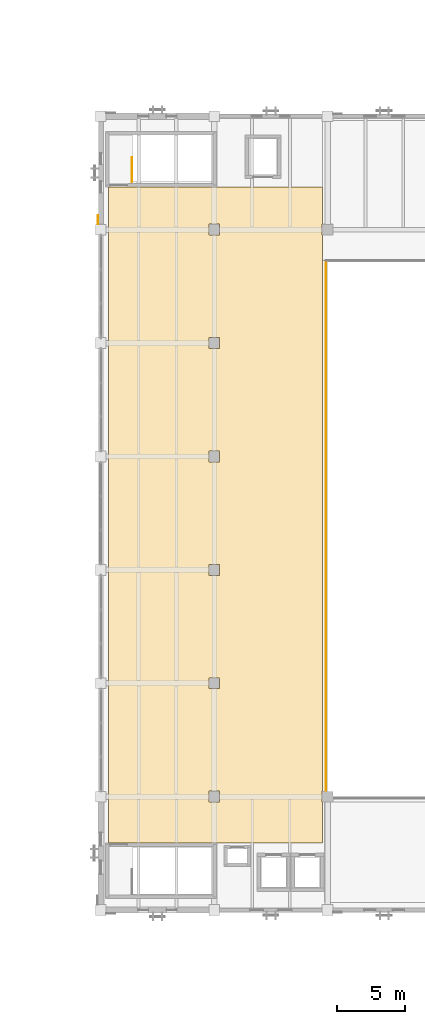
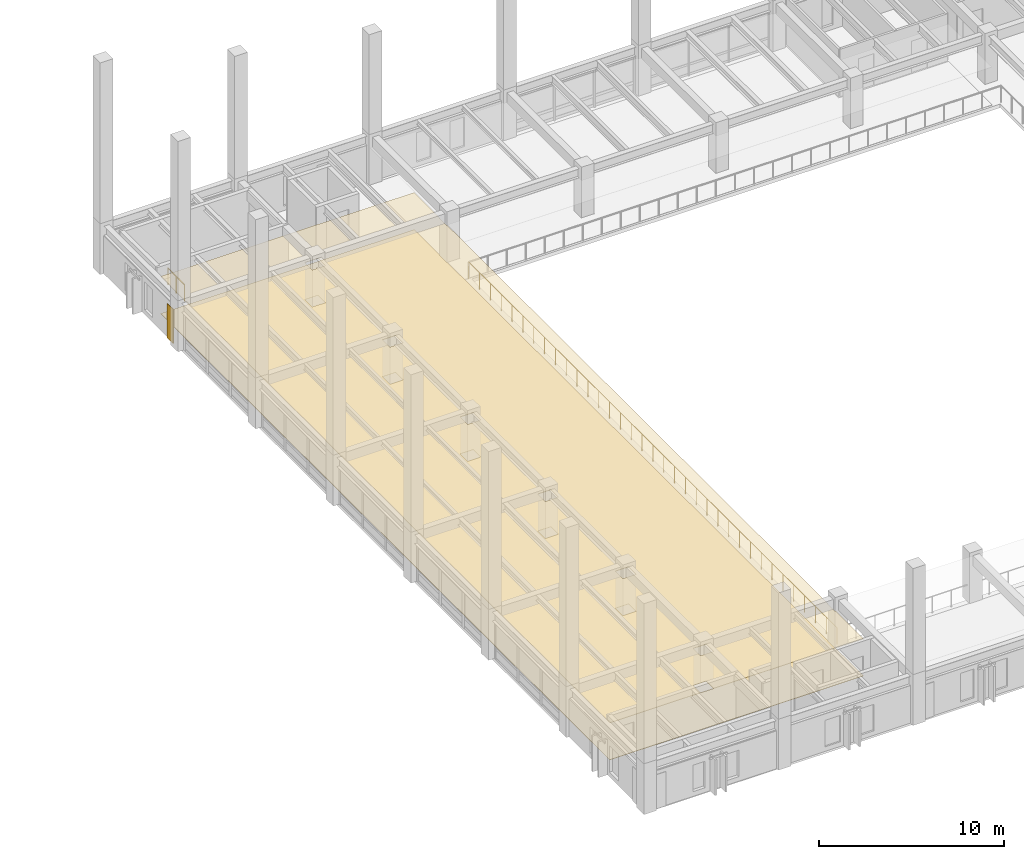
# One storey, part 55 of 64: 3 coverings, 2 railings.
"""IFC4 building model written with IfcOpenShell, lengths in metres."""

from ifc_helpers import new_model, si_unit, direction, frame, origin, origin_2d, place, context, subcontext, project, spatial, polyline, circle, outline, extrude, material, layer, layer_set, type_object, element, save


model = new_model("IFC4")

# Units and contexts
model_context = context("Model", 3, precision=1e-05, world=origin(), true_north=direction((0.0, 1.0)))
body_context = subcontext(model_context, "Body", "Model", "MODEL_VIEW")
ifc_project = project(units=[si_unit("LENGTHUNIT", "METRE"), si_unit("AREAUNIT", "SQUARE_METRE"), si_unit("VOLUMEUNIT", "CUBIC_METRE"), si_unit("PLANEANGLEUNIT", "RADIAN"), si_unit("MASSUNIT", "GRAM", prefix="KILO")], contexts=[model_context])

# Site, building, storey
site_placement = place(None, origin())
site = spatial("IfcSite", under=ifc_project, at=site_placement, CompositionType="ELEMENT")
building_placement = place(site_placement, origin())
building = spatial("IfcBuilding", under=site, at=building_placement, Name="Cumbredor Promenade Congress Hotel", CompositionType="ELEMENT")
storey_placement = place(building_placement, frame((0.0, 0.0, 18.47998046875)))
storey = spatial("IfcBuildingStorey", under=building, at=storey_placement, Name="L05", CompositionType="ELEMENT", Elevation=18.47998046875)

# Coverings
ifc_material_1 = material(Name="Acoustic mineral-fiber and gypsum ceiling")
ifc_layer_1 = layer(ifc_material_1, 0.031982421875, Name="Acoustic mineral-fiber and gypsum ceiling")
ifc_layer_set_1 = layer_set([ifc_layer_1], Name="Acoustic mineral-fiber and gypsum ceiling")
covering_type_1 = type_object("IfcCoveringType", Name="Acoustic Perforated Gypsum Ceiling CLG-04 32mm", PredefinedType="CEILING", material=ifc_layer_set_1)
covering_1_placement = place(storey_placement, frame((0.0, 0.0, 2.43896484375)))
element("IfcCovering", 1, at=covering_1_placement, inside=storey, type_object=covering_type_1, Name="L05 Plenary West Pre-Function Gallery Acoustic Ceiling", PredefinedType="CEILING", context=body_context, shape_type="SweptSolid", body=[
    extrude(outline(polyline([(24.794921875, 17.205078125), (24.794921875, 16.39501953125), (24.820068359375, 16.39501953125), (24.820068359375, 13.3798828125), (8.97998046875, 13.3798828125), (8.97998046875, 61.969970703125), (24.820068359375, 61.969970703125), (24.820068359375, 59.205078125), (24.794921875, 59.205078125), (24.794921875, 58.39501953125), (24.820068359375, 58.39501953125), (24.820068359375, 17.205078125), (24.794921875, 17.205078125)]), holes=[polyline([(17.205078125, 16.39501953125), (17.205078125, 17.205078125), (16.39501953125, 17.205078125), (16.39501953125, 16.39501953125), (17.205078125, 16.39501953125)]), polyline([(16.39501953125, 24.794921875), (17.205078125, 24.794921875), (17.205078125, 25.60498046875), (16.39501953125, 25.60498046875), (16.39501953125, 24.794921875)]), polyline([(16.39501953125, 34.0048828125), (16.39501953125, 33.195068359375), (17.205078125, 33.195068359375), (17.205078125, 34.0048828125), (16.39501953125, 34.0048828125)]), polyline([(17.205078125, 42.405029296875), (16.39501953125, 42.405029296875), (16.39501953125, 41.594970703125), (17.205078125, 41.594970703125), (17.205078125, 42.405029296875)]), polyline([(17.205078125, 49.9951171875), (17.205078125, 50.804931640625), (16.39501953125, 50.804931640625), (16.39501953125, 49.9951171875), (17.205078125, 49.9951171875)]), polyline([(16.39501953125, 58.39501953125), (17.205078125, 58.39501953125), (17.205078125, 59.205078125), (16.39501953125, 59.205078125), (16.39501953125, 58.39501953125)])]), origin(), (0.0, 0.0, 1.0), 0.031982421875),
])
ifc_material_2 = material(Name="Precast concrete C40/50", Category="concrete")
ifc_layer_2 = layer(ifc_material_2, 0.044921875, Name="Precast concrete C40/50", Category="concrete")
ifc_layer_set_2 = layer_set([ifc_layer_2], Name="Precast concrete C40/50")
covering_type_2 = type_object("IfcCoveringType", Name="Board-Formed Architectural Cladding Panel 45mm", PredefinedType="CLADDING", material=ifc_layer_set_2)
covering_2_placement = place(storey_placement, origin())
element("IfcCovering", 2, at=covering_2_placement, inside=storey, type_object=covering_type_2, Name="L05 Facade Stone Cladding Pier 194", PredefinedType="CLADDING", context=body_context, shape_type="SweptSolid", body=[
    extrude(outline(polyline([(8.2099609375, 59.200927734375), (8.2099609375, 59.85107421875), (8.1650390625, 59.85107421875), (8.1650390625, 59.200927734375), (8.2099609375, 59.200927734375)])), origin(), (0.0, 0.0, 1.0), 2.25),
])

# Railings
ifc_material_3 = material(Name="Brushed stainless steel", Category="steel")
railing_type = type_object("IfcRailingType", Name="Interior Void & Stair Guardrail GR-1100", PredefinedType="GUARDRAIL", material=ifc_material_3)
railing_1_placement = place(storey_placement, frame((10.699951171875, 62.35009765625, 0.0)))
element("IfcRailing", 3, at=railing_1_placement, inside=storey, type_object=railing_type, Name="L05 ST-06 top well guard 1", PredefinedType="GUARDRAIL", context=body_context, shape_type="SweptSolid", body=[
    extrude(circle(Radius=0.02392578125, at=origin_2d()), frame((0.0, 0.0, 1.09619140625), z_axis=(0.0, 1.0, 0.0), x_axis=(-1.0, 0.0, 0.0)), (0.0, 0.0, 1.0), 1.7998046875),
    extrude(circle(Radius=0.02099609375, at=origin_2d()), origin(), (0.0, 0.0, 1.0), 1.072021484375),
    extrude(circle(Radius=0.02099609375, at=origin_2d()), frame((0.0, 0.89990234375, 0.0)), (0.0, 0.0, 1.0), 1.072021484375),
    extrude(circle(Radius=0.02099609375, at=origin_2d()), frame((0.0, 1.7998046875, 0.0)), (0.0, 0.0, 1.0), 1.072021484375),
])
railing_2_placement = place(storey_placement, frame((25.080078125, 56.52001953125, 0.0)))
element("IfcRailing", 4, at=railing_2_placement, inside=storey, type_object=railing_type, Name="L05 v1_plenary_bowl Void Perimeter Guardrail 4", PredefinedType="GUARDRAIL", context=body_context, shape_type="SweptSolid", body=[
    extrude(circle(Radius=0.02392578125, at=origin_2d()), frame((0.0, 0.0, 1.09619140625), z_axis=(0.0, -1.0, 0.0), x_axis=(1.0, 0.0, 0.0)), (0.0, 0.0, 1.0), 39.840087890625),
    extrude(circle(Radius=0.02099609375, at=origin_2d()), origin(), (0.0, 0.0, 1.0), 1.072021484375),
    extrude(circle(Radius=0.02099609375, at=origin_2d()), frame((0.0, -1.171875, 0.0)), (0.0, 0.0, 1.0), 1.072021484375),
    extrude(circle(Radius=0.02099609375, at=origin_2d()), frame((0.0, -2.343505859375, 0.0)), (0.0, 0.0, 1.0), 1.072021484375),
    extrude(circle(Radius=0.02099609375, at=origin_2d()), frame((0.0, -3.515380859375, 0.0)), (0.0, 0.0, 1.0), 1.072021484375),
    extrude(circle(Radius=0.02099609375, at=origin_2d()), frame((0.0, -4.68701171875, 0.0)), (0.0, 0.0, 1.0), 1.072021484375),
    extrude(circle(Radius=0.02099609375, at=origin_2d()), frame((0.0, -5.85888671875, 0.0)), (0.0, 0.0, 1.0), 1.072021484375),
    extrude(circle(Radius=0.02099609375, at=origin_2d()), frame((0.0, -7.030517578125, 0.0)), (0.0, 0.0, 1.0), 1.072021484375),
    extrude(circle(Radius=0.02099609375, at=origin_2d()), frame((0.0, -8.202392578125, 0.0)), (0.0, 0.0, 1.0), 1.072021484375),
    extrude(circle(Radius=0.02099609375, at=origin_2d()), frame((0.0, -9.3740234375, 0.0)), (0.0, 0.0, 1.0), 1.072021484375),
    extrude(circle(Radius=0.02099609375, at=origin_2d()), frame((0.0, -10.5458984375, 0.0)), (0.0, 0.0, 1.0), 1.072021484375),
    extrude(circle(Radius=0.02099609375, at=origin_2d()), frame((0.0, -11.7177734375, 0.0)), (0.0, 0.0, 1.0), 1.072021484375),
    extrude(circle(Radius=0.02099609375, at=origin_2d()), frame((0.0, -12.889404296875, 0.0)), (0.0, 0.0, 1.0), 1.072021484375),
    extrude(circle(Radius=0.02099609375, at=origin_2d()), frame((0.0, -14.061279296875, 0.0)), (0.0, 0.0, 1.0), 1.072021484375),
    extrude(circle(Radius=0.02099609375, at=origin_2d()), frame((0.0, -15.23291015625, 0.0)), (0.0, 0.0, 1.0), 1.072021484375),
    extrude(circle(Radius=0.02099609375, at=origin_2d()), frame((0.0, -16.40478515625, 0.0)), (0.0, 0.0, 1.0), 1.072021484375),
    extrude(circle(Radius=0.02099609375, at=origin_2d()), frame((0.0, -17.576416015625, 0.0)), (0.0, 0.0, 1.0), 1.072021484375),
    extrude(circle(Radius=0.02099609375, at=origin_2d()), frame((0.0, -18.748291015625, 0.0)), (0.0, 0.0, 1.0), 1.072021484375),
    extrude(circle(Radius=0.02099609375, at=origin_2d()), frame((0.0, -19.919921875, 0.0)), (0.0, 0.0, 1.0), 1.072021484375),
    extrude(circle(Radius=0.02099609375, at=origin_2d()), frame((0.0, -21.091796875, 0.0)), (0.0, 0.0, 1.0), 1.072021484375),
    extrude(circle(Radius=0.02099609375, at=origin_2d()), frame((0.0, -22.263671875, 0.0)), (0.0, 0.0, 1.0), 1.072021484375),
    extrude(circle(Radius=0.02099609375, at=origin_2d()), frame((0.0, -23.435302734375, 0.0)), (0.0, 0.0, 1.0), 1.072021484375),
    extrude(circle(Radius=0.02099609375, at=origin_2d()), frame((0.0, -24.607177734375, 0.0)), (0.0, 0.0, 1.0), 1.072021484375),
    extrude(circle(Radius=0.02099609375, at=origin_2d()), frame((0.0, -25.77880859375, 0.0)), (0.0, 0.0, 1.0), 1.072021484375),
    extrude(circle(Radius=0.02099609375, at=origin_2d()), frame((0.0, -26.95068359375, 0.0)), (0.0, 0.0, 1.0), 1.072021484375),
    extrude(circle(Radius=0.02099609375, at=origin_2d()), frame((0.0, -28.122314453125, 0.0)), (0.0, 0.0, 1.0), 1.072021484375),
    extrude(circle(Radius=0.02099609375, at=origin_2d()), frame((0.0, -29.294189453125, 0.0)), (0.0, 0.0, 1.0), 1.072021484375),
    extrude(circle(Radius=0.02099609375, at=origin_2d()), frame((0.0, -30.466064453125, 0.0)), (0.0, 0.0, 1.0), 1.072021484375),
    extrude(circle(Radius=0.02099609375, at=origin_2d()), frame((0.0, -31.6376953125, 0.0)), (0.0, 0.0, 1.0), 1.072021484375),
    extrude(circle(Radius=0.02099609375, at=origin_2d()), frame((0.0, -32.8095703125, 0.0)), (0.0, 0.0, 1.0), 1.072021484375),
    extrude(circle(Radius=0.02099609375, at=origin_2d()), frame((0.0, -33.981201171875, 0.0)), (0.0, 0.0, 1.0), 1.072021484375),
    extrude(circle(Radius=0.02099609375, at=origin_2d()), frame((0.0, -35.153076171875, 0.0)), (0.0, 0.0, 1.0), 1.072021484375),
    extrude(circle(Radius=0.02099609375, at=origin_2d()), frame((0.0, -36.32470703125, 0.0)), (0.0, 0.0, 1.0), 1.072021484375),
    extrude(circle(Radius=0.02099609375, at=origin_2d()), frame((0.0, -37.49658203125, 0.0)), (0.0, 0.0, 1.0), 1.072021484375),
    extrude(circle(Radius=0.02099609375, at=origin_2d()), frame((0.0, -38.668212890625, 0.0)), (0.0, 0.0, 1.0), 1.072021484375),
    extrude(circle(Radius=0.02099609375, at=origin_2d()), frame((0.0, -39.840087890625, 0.0)), (0.0, 0.0, 1.0), 1.072021484375),
])

# Covering
ifc_material_4 = material(Name="Porcelain stoneware tile", Category="masonry")
ifc_layer_3 = layer(ifc_material_4, 0.02490234375, Name="Porcelain stoneware tile", Category="masonry")
ifc_layer_set_3 = layer_set([ifc_layer_3], Name="Porcelain stoneware tile")
covering_type_3 = type_object("IfcCoveringType", Name="Porcelain Stoneware Flooring FLR-02 25mm", PredefinedType="FLOORING", material=ifc_layer_set_3)
covering_3_placement = place(storey_placement, origin())
element("IfcCovering", 5, at=covering_3_placement, inside=storey, type_object=covering_type_3, Name="L05 Plenary West Pre-Function Gallery Porcelain Flooring", PredefinedType="FLOORING", context=body_context, shape_type="SweptSolid", body=[
    extrude(outline(polyline([(24.794921875, 17.205078125), (24.794921875, 16.39501953125), (24.820068359375, 16.39501953125), (24.820068359375, 13.3798828125), (8.97998046875, 13.3798828125), (8.97998046875, 61.969970703125), (24.820068359375, 61.969970703125), (24.820068359375, 59.205078125), (24.794921875, 59.205078125), (24.794921875, 58.39501953125), (24.820068359375, 58.39501953125), (24.820068359375, 17.205078125), (24.794921875, 17.205078125)]), holes=[polyline([(17.205078125, 16.39501953125), (17.205078125, 17.205078125), (16.39501953125, 17.205078125), (16.39501953125, 16.39501953125), (17.205078125, 16.39501953125)]), polyline([(16.39501953125, 24.794921875), (17.205078125, 24.794921875), (17.205078125, 25.60498046875), (16.39501953125, 25.60498046875), (16.39501953125, 24.794921875)]), polyline([(16.39501953125, 34.0048828125), (16.39501953125, 33.195068359375), (17.205078125, 33.195068359375), (17.205078125, 34.0048828125), (16.39501953125, 34.0048828125)]), polyline([(17.205078125, 42.405029296875), (16.39501953125, 42.405029296875), (16.39501953125, 41.594970703125), (17.205078125, 41.594970703125), (17.205078125, 42.405029296875)]), polyline([(17.205078125, 49.9951171875), (17.205078125, 50.804931640625), (16.39501953125, 50.804931640625), (16.39501953125, 49.9951171875), (17.205078125, 49.9951171875)]), polyline([(16.39501953125, 58.39501953125), (17.205078125, 58.39501953125), (17.205078125, 59.205078125), (16.39501953125, 59.205078125), (16.39501953125, 58.39501953125)])]), origin(), (0.0, 0.0, 1.0), 0.02490234375),
])

save(model, "model.ifc")
